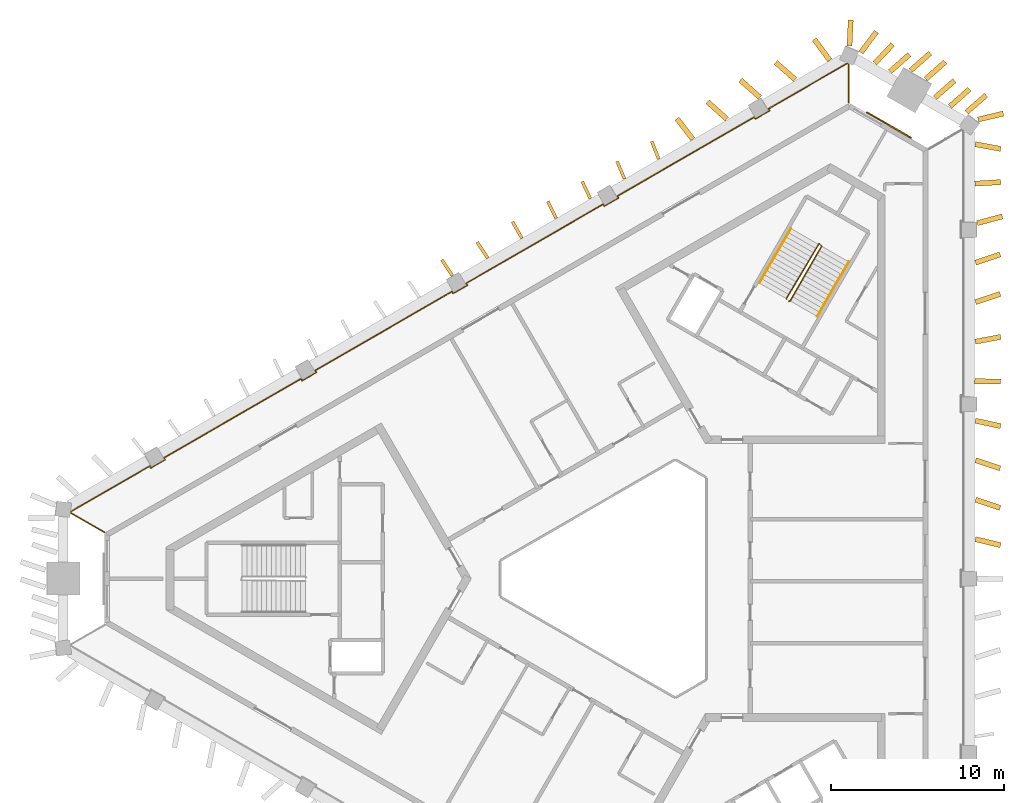
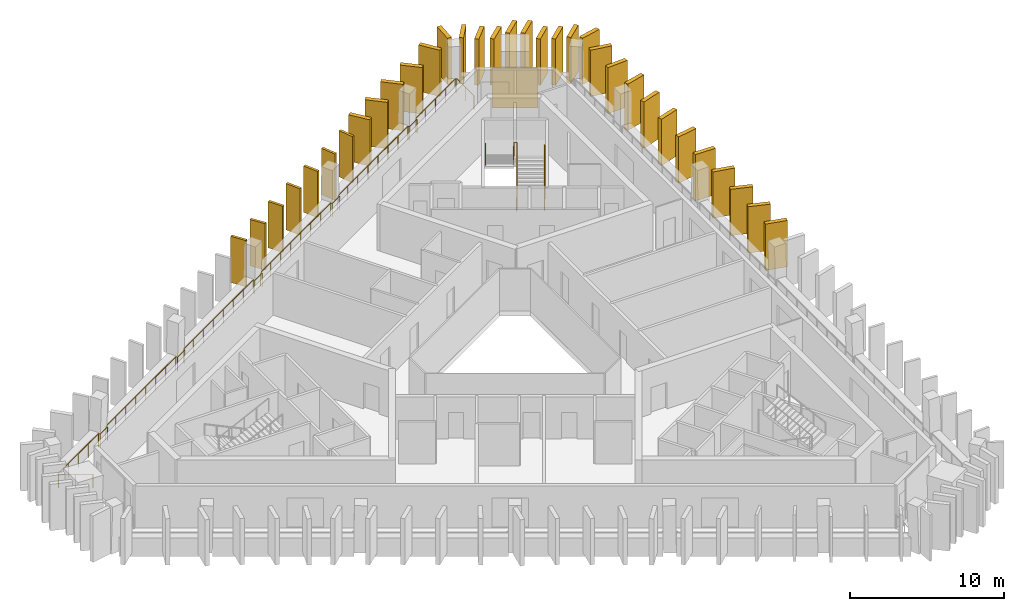
# One storey, part 9 of 9: 33 shading devices, 4 railings, 1 covering.
"""IFC4 building model written with IfcOpenShell, lengths in metres."""

from ifc_helpers import new_model, si_unit, direction, frame, frame_2d, origin, origin_2d, place, context, subcontext, project, spatial, rectangle, circle, extrude, material, layer, layer_set, type_object, element, save


model = new_model("IFC4")

# Units and contexts
model_context = context("Model", 3, precision=1e-05, world=origin(), true_north=direction((0.0, 1.0)))
body_context = subcontext(model_context, "Body", "Model", "MODEL_VIEW")
ifc_project = project(units=[si_unit("LENGTHUNIT", "METRE"), si_unit("AREAUNIT", "SQUARE_METRE"), si_unit("VOLUMEUNIT", "CUBIC_METRE"), si_unit("PLANEANGLEUNIT", "RADIAN"), si_unit("MASSUNIT", "GRAM", prefix="KILO")], contexts=[model_context])

# Site, building, storey
site_placement = place(None, origin())
site = spatial("IfcSite", under=ifc_project, at=site_placement, CompositionType="ELEMENT")
building_placement = place(site_placement, origin())
building = spatial("IfcBuilding", under=site, at=building_placement, Name="Jabali Bay Hotel Tower and Convention Centre", CompositionType="ELEMENT")
storey_placement = place(building_placement, frame((0.0, 0.0, 242.800048828125)))
storey = spatial("IfcBuildingStorey", under=building, at=storey_placement, Name="L60", CompositionType="ELEMENT", Elevation=242.800048828125)

# Railing
ifc_material_1 = material(Name="Glass", Category="glass")
railing_type_1 = type_object("IfcRailingType", Name="Loggia glass guard 1100", PredefinedType="BALUSTRADE", material=ifc_material_1)
railing_1_placement = place(storey_placement, frame((44.825439453125, 82.6748046875, 0.0)))
element("IfcRailing", 1, at=railing_1_placement, inside=storey, type_object=railing_type_1, Name="Loggia glass guard L60", PredefinedType="BALUSTRADE", context=body_context, shape_type="SweptSolid", body=[
    extrude(circle(Radius=0.02490234375, at=origin_2d()), frame((0.0, 0.0, 1.0751953125), z_axis=(-0.86603545466, 0.499982590969, 0.0), x_axis=(-0.495705170593, -0.85862640129, 0.13052619222)), (0.0, 0.0, 1.0), 2.24755859375),
    extrude(circle(Radius=0.02490234375, at=origin_2d()), frame((-1.946533203125, 1.123779296875, 1.0751953125), z_axis=(0.120005554105, 0.99277322032, 0.0), x_axis=(-0.984279907796, 0.118978889953, 0.13052619222)), (0.0, 0.0, 1.0), 0.067138671875),
    extrude(circle(Radius=0.02490234375, at=origin_2d()), frame((-1.9384765625, 1.1904296875, 1.0751953125), z_axis=(0.866030281371, 0.499991551677, 0.0), x_axis=(-0.495714054641, 0.858621272259, 0.13052619222)), (0.0, 0.0, 1.0), 5.26171875),
    extrude(circle(Radius=0.02490234375, at=origin_2d()), frame((2.618408203125, 3.8212890625, 1.0751953125), z_axis=(0.499497219344, -0.8663154898, 0.0), x_axis=(0.858904040691, 0.495223951389, 0.13052619222)), (0.0, 0.0, 1.0), 0.125244140625),
    extrude(circle(Radius=0.02490234375, at=origin_2d()), frame((2.680908203125, 3.712890625, 1.0751953125), z_axis=(0.865988727248, 0.500063520245, 0.0), x_axis=(-0.495785407507, 0.858580073638, 0.13052619222)), (0.0, 0.0, 1.0), 0.9501953125),
    extrude(circle(Radius=0.02490234375, at=origin_2d()), frame((3.503662109375, 4.18798828125, 1.0751953125), z_axis=(-0.499497219344, 0.8663154898, 0.0), x_axis=(-0.858904040691, -0.495223951389, 0.13052619222)), (0.0, 0.0, 1.0), 0.125244140625),
    extrude(circle(Radius=0.02490234375, at=origin_2d()), frame((3.441162109375, 4.29638671875, 1.0751953125), z_axis=(0.866025557469, 0.49999973381, 0.0), x_axis=(-0.495722166775, 0.858616588771, 0.13052619222)), (0.0, 0.0, 1.0), 9.12060546875),
    extrude(circle(Radius=0.02490234375, at=origin_2d()), frame((11.33984375, 8.856689453125, 1.0751953125), z_axis=(0.499497219344, -0.8663154898, 0.0), x_axis=(0.858904040691, 0.495223951389, 0.13052619222)), (0.0, 0.0, 1.0), 0.125244140625),
    extrude(circle(Radius=0.02490234375, at=origin_2d()), frame((11.40234375, 8.748291015625, 1.0751953125), z_axis=(0.865988727248, 0.500063520245, 0.0), x_axis=(-0.495785407507, 0.858580073638, 0.13052619222)), (0.0, 0.0, 1.0), 0.9501953125),
    extrude(circle(Radius=0.02490234375, at=origin_2d()), frame((12.22509765625, 9.223388671875, 1.0751953125), z_axis=(-0.500342721131, 0.865827443207, 0.0), x_axis=(-0.858420169404, -0.496062219791, 0.13052619222)), (0.0, 0.0, 1.0), 0.125),
    extrude(circle(Radius=0.02490234375, at=origin_2d()), frame((12.16259765625, 9.33154296875, 1.0751953125), z_axis=(0.866025557469, 0.49999973381, 0.0), x_axis=(-0.495722166775, 0.858616588771, 0.13052619222)), (0.0, 0.0, 1.0), 9.12060546875),
    extrude(circle(Radius=0.02490234375, at=origin_2d()), frame((20.061279296875, 13.891845703125, 1.0751953125), z_axis=(0.500342721131, -0.865827443207, 0.0), x_axis=(0.858420169404, 0.496062219791, 0.13052619222)), (0.0, 0.0, 1.0), 0.125),
    extrude(circle(Radius=0.02490234375, at=origin_2d()), frame((20.123779296875, 13.78369140625, 1.0751953125), z_axis=(0.866100000774, 0.49987077196, 0.0), x_axis=(-0.495594308211, 0.858690395203, 0.13052619222)), (0.0, 0.0, 1.0), 0.949951171875),
    extrude(circle(Radius=0.02490234375, at=origin_2d()), frame((20.946533203125, 14.258544921875, 1.0751953125), z_axis=(-0.499497219344, 0.8663154898, 0.0), x_axis=(-0.858904040691, -0.495223951389, 0.13052619222)), (0.0, 0.0, 1.0), 0.125244140625),
    extrude(circle(Radius=0.02490234375, at=origin_2d()), frame((20.884033203125, 14.366943359375, 1.0751953125), z_axis=(0.866025557469, 0.49999973381, 0.0), x_axis=(-0.495722166775, 0.858616588771, 0.13052619222)), (0.0, 0.0, 1.0), 9.12060546875),
    extrude(circle(Radius=0.02490234375, at=origin_2d()), frame((28.78271484375, 18.92724609375, 1.0751953125), z_axis=(0.499497219344, -0.8663154898, 0.0), x_axis=(0.858904040691, 0.495223951389, 0.13052619222)), (0.0, 0.0, 1.0), 0.125244140625),
    extrude(circle(Radius=0.02490234375, at=origin_2d()), frame((28.84521484375, 18.81884765625, 1.0751953125), z_axis=(0.865988727248, 0.500063520245, 0.0), x_axis=(-0.495785407507, 0.858580073638, 0.13052619222)), (0.0, 0.0, 1.0), 0.9501953125),
    extrude(circle(Radius=0.02490234375, at=origin_2d()), frame((29.66796875, 19.2939453125, 1.0751953125), z_axis=(-0.500342721131, 0.865827443207, 0.0), x_axis=(-0.858420169404, -0.496062219791, 0.13052619222)), (0.0, 0.0, 1.0), 0.125),
    extrude(circle(Radius=0.02490234375, at=origin_2d()), frame((29.60546875, 19.402099609375, 1.0751953125), z_axis=(0.866025557469, 0.49999973381, 0.0), x_axis=(-0.495722166775, 0.858616588771, 0.13052619222)), (0.0, 0.0, 1.0), 9.12060546875),
    extrude(circle(Radius=0.02490234375, at=origin_2d()), frame((37.504150390625, 23.96240234375, 1.0751953125), z_axis=(0.500342721131, -0.865827443207, 0.0), x_axis=(0.858420169404, 0.496062219791, 0.13052619222)), (0.0, 0.0, 1.0), 0.125),
    extrude(circle(Radius=0.02490234375, at=origin_2d()), frame((37.566650390625, 23.854248046875, 1.0751953125), z_axis=(0.865988727248, 0.500063520245, 0.0), x_axis=(-0.495785407507, 0.858580073638, 0.13052619222)), (0.0, 0.0, 1.0), 0.9501953125),
    extrude(circle(Radius=0.02490234375, at=origin_2d()), frame((38.389404296875, 24.329345703125, 1.0751953125), z_axis=(-0.500342721131, 0.865827443207, 0.0), x_axis=(-0.858420169404, -0.496062219791, 0.13052619222)), (0.0, 0.0, 1.0), 0.125),
    extrude(circle(Radius=0.02490234375, at=origin_2d()), frame((38.326904296875, 24.4375, 1.0751953125), z_axis=(0.866030281371, 0.499991551677, 0.0), x_axis=(-0.495714054641, 0.858621272259, 0.13052619222)), (0.0, 0.0, 1.0), 5.26171875),
    extrude(circle(Radius=0.02490234375, at=origin_2d()), frame((42.8837890625, 27.068359375, 1.0751953125), z_axis=(0.920462353345, -0.390831237333, 0.0), x_axis=(0.387487621918, 0.912587670312, 0.13052619222)), (0.0, 0.0, 1.0), 0.06689453125),
    extrude(circle(Radius=0.02490234375, at=origin_2d()), frame((42.9453125, 27.042236328125, 1.0751953125), z_axis=(0.0, -1.0, 0.0), x_axis=(0.991444861374, 0.0, 0.13052619222)), (0.0, 0.0, 1.0), 2.24755859375),
    extrude(circle(Radius=0.02001953125, at=origin_2d()), origin(), (0.0, 0.0, 1.0), 1.050048828125),
    extrude(circle(Radius=0.02001953125, at=origin_2d()), frame((-0.97314453125, 0.56201171875, 0.0)), (0.0, 0.0, 1.0), 1.050048828125),
    extrude(circle(Radius=0.02001953125, at=origin_2d()), frame((-1.946533203125, 1.123779296875, 0.0)), (0.0, 0.0, 1.0), 1.050048828125),
    extrude(circle(Radius=0.02001953125, at=origin_2d()), frame((-1.9384765625, 1.1904296875, 0.0)), (0.0, 0.0, 1.0), 1.050048828125),
    extrude(circle(Radius=0.02001953125, at=origin_2d()), frame((-0.79931640625, 1.84814453125, 0.0)), (0.0, 0.0, 1.0), 1.050048828125),
    extrude(circle(Radius=0.02001953125, at=origin_2d()), frame((0.33984375, 2.505859375, 0.0)), (0.0, 0.0, 1.0), 1.050048828125),
    extrude(circle(Radius=0.02001953125, at=origin_2d()), frame((1.479248046875, 3.16357421875, 0.0)), (0.0, 0.0, 1.0), 1.050048828125),
    extrude(circle(Radius=0.02001953125, at=origin_2d()), frame((2.618408203125, 3.8212890625, 0.0)), (0.0, 0.0, 1.0), 1.050048828125),
    extrude(circle(Radius=0.02001953125, at=origin_2d()), frame((2.680908203125, 3.712890625, 0.0)), (0.0, 0.0, 1.0), 1.050048828125),
    extrude(circle(Radius=0.02001953125, at=origin_2d()), frame((3.503662109375, 4.18798828125, 0.0)), (0.0, 0.0, 1.0), 1.050048828125),
    extrude(circle(Radius=0.02001953125, at=origin_2d()), frame((3.441162109375, 4.29638671875, 0.0)), (0.0, 0.0, 1.0), 1.050048828125),
    extrude(circle(Radius=0.02001953125, at=origin_2d()), frame((4.569580078125, 4.94775390625, 0.0)), (0.0, 0.0, 1.0), 1.050048828125),
    extrude(circle(Radius=0.02001953125, at=origin_2d()), frame((5.697998046875, 5.599365234375, 0.0)), (0.0, 0.0, 1.0), 1.050048828125),
    extrude(circle(Radius=0.02001953125, at=origin_2d()), frame((6.826416015625, 6.250732421875, 0.0)), (0.0, 0.0, 1.0), 1.050048828125),
    extrude(circle(Radius=0.02001953125, at=origin_2d()), frame((7.95458984375, 6.90234375, 0.0)), (0.0, 0.0, 1.0), 1.050048828125),
    extrude(circle(Radius=0.02001953125, at=origin_2d()), frame((9.0830078125, 7.5537109375, 0.0)), (0.0, 0.0, 1.0), 1.050048828125),
    extrude(circle(Radius=0.02001953125, at=origin_2d()), frame((10.21142578125, 8.205322265625, 0.0)), (0.0, 0.0, 1.0), 1.050048828125),
    extrude(circle(Radius=0.02001953125, at=origin_2d()), frame((11.33984375, 8.856689453125, 0.0)), (0.0, 0.0, 1.0), 1.050048828125),
    extrude(circle(Radius=0.02001953125, at=origin_2d()), frame((11.40234375, 8.748291015625, 0.0)), (0.0, 0.0, 1.0), 1.050048828125),
    extrude(circle(Radius=0.02001953125, at=origin_2d()), frame((12.22509765625, 9.223388671875, 0.0)), (0.0, 0.0, 1.0), 1.050048828125),
    extrude(circle(Radius=0.02001953125, at=origin_2d()), frame((12.16259765625, 9.33154296875, 0.0)), (0.0, 0.0, 1.0), 1.050048828125),
    extrude(circle(Radius=0.02001953125, at=origin_2d()), frame((13.291015625, 9.98291015625, 0.0)), (0.0, 0.0, 1.0), 1.050048828125),
    extrude(circle(Radius=0.02001953125, at=origin_2d()), frame((14.41943359375, 10.634521484375, 0.0)), (0.0, 0.0, 1.0), 1.050048828125),
    extrude(circle(Radius=0.02001953125, at=origin_2d()), frame((15.5478515625, 11.285888671875, 0.0)), (0.0, 0.0, 1.0), 1.050048828125),
    extrude(circle(Radius=0.02001953125, at=origin_2d()), frame((16.676025390625, 11.9375, 0.0)), (0.0, 0.0, 1.0), 1.050048828125),
    extrude(circle(Radius=0.02001953125, at=origin_2d()), frame((17.804443359375, 12.5888671875, 0.0)), (0.0, 0.0, 1.0), 1.050048828125),
    extrude(circle(Radius=0.02001953125, at=origin_2d()), frame((18.932861328125, 13.240478515625, 0.0)), (0.0, 0.0, 1.0), 1.050048828125),
    extrude(circle(Radius=0.02001953125, at=origin_2d()), frame((20.061279296875, 13.891845703125, 0.0)), (0.0, 0.0, 1.0), 1.050048828125),
    extrude(circle(Radius=0.02001953125, at=origin_2d()), frame((20.123779296875, 13.78369140625, 0.0)), (0.0, 0.0, 1.0), 1.050048828125),
    extrude(circle(Radius=0.02001953125, at=origin_2d()), frame((20.946533203125, 14.258544921875, 0.0)), (0.0, 0.0, 1.0), 1.050048828125),
    extrude(circle(Radius=0.02001953125, at=origin_2d()), frame((20.884033203125, 14.366943359375, 0.0)), (0.0, 0.0, 1.0), 1.050048828125),
    extrude(circle(Radius=0.02001953125, at=origin_2d()), frame((22.012451171875, 15.018310546875, 0.0)), (0.0, 0.0, 1.0), 1.050048828125),
    extrude(circle(Radius=0.02001953125, at=origin_2d()), frame((23.140869140625, 15.669921875, 0.0)), (0.0, 0.0, 1.0), 1.050048828125),
    extrude(circle(Radius=0.02001953125, at=origin_2d()), frame((24.269287109375, 16.3212890625, 0.0)), (0.0, 0.0, 1.0), 1.050048828125),
    extrude(circle(Radius=0.02001953125, at=origin_2d()), frame((25.3974609375, 16.972900390625, 0.0)), (0.0, 0.0, 1.0), 1.050048828125),
    extrude(circle(Radius=0.02001953125, at=origin_2d()), frame((26.52587890625, 17.624267578125, 0.0)), (0.0, 0.0, 1.0), 1.050048828125),
    extrude(circle(Radius=0.02001953125, at=origin_2d()), frame((27.654296875, 18.27587890625, 0.0)), (0.0, 0.0, 1.0), 1.050048828125),
    extrude(circle(Radius=0.02001953125, at=origin_2d()), frame((28.78271484375, 18.92724609375, 0.0)), (0.0, 0.0, 1.0), 1.050048828125),
    extrude(circle(Radius=0.02001953125, at=origin_2d()), frame((28.84521484375, 18.81884765625, 0.0)), (0.0, 0.0, 1.0), 1.050048828125),
    extrude(circle(Radius=0.02001953125, at=origin_2d()), frame((29.66796875, 19.2939453125, 0.0)), (0.0, 0.0, 1.0), 1.050048828125),
    extrude(circle(Radius=0.02001953125, at=origin_2d()), frame((29.60546875, 19.402099609375, 0.0)), (0.0, 0.0, 1.0), 1.050048828125),
    extrude(circle(Radius=0.02001953125, at=origin_2d()), frame((30.73388671875, 20.053466796875, 0.0)), (0.0, 0.0, 1.0), 1.050048828125),
    extrude(circle(Radius=0.02001953125, at=origin_2d()), frame((31.8623046875, 20.705078125, 0.0)), (0.0, 0.0, 1.0), 1.050048828125),
    extrude(circle(Radius=0.02001953125, at=origin_2d()), frame((32.99072265625, 21.3564453125, 0.0)), (0.0, 0.0, 1.0), 1.050048828125),
    extrude(circle(Radius=0.02001953125, at=origin_2d()), frame((34.118896484375, 22.008056640625, 0.0)), (0.0, 0.0, 1.0), 1.050048828125),
    extrude(circle(Radius=0.02001953125, at=origin_2d()), frame((35.247314453125, 22.659423828125, 0.0)), (0.0, 0.0, 1.0), 1.050048828125),
    extrude(circle(Radius=0.02001953125, at=origin_2d()), frame((36.375732421875, 23.31103515625, 0.0)), (0.0, 0.0, 1.0), 1.050048828125),
    extrude(circle(Radius=0.02001953125, at=origin_2d()), frame((37.504150390625, 23.96240234375, 0.0)), (0.0, 0.0, 1.0), 1.050048828125),
    extrude(circle(Radius=0.02001953125, at=origin_2d()), frame((37.566650390625, 23.854248046875, 0.0)), (0.0, 0.0, 1.0), 1.050048828125),
    extrude(circle(Radius=0.02001953125, at=origin_2d()), frame((38.389404296875, 24.329345703125, 0.0)), (0.0, 0.0, 1.0), 1.050048828125),
    extrude(circle(Radius=0.02001953125, at=origin_2d()), frame((38.326904296875, 24.4375, 0.0)), (0.0, 0.0, 1.0), 1.050048828125),
    extrude(circle(Radius=0.02001953125, at=origin_2d()), frame((39.466064453125, 25.09521484375, 0.0)), (0.0, 0.0, 1.0), 1.050048828125),
    extrude(circle(Radius=0.02001953125, at=origin_2d()), frame((40.60546875, 25.7529296875, 0.0)), (0.0, 0.0, 1.0), 1.050048828125),
    extrude(circle(Radius=0.02001953125, at=origin_2d()), frame((41.74462890625, 26.41064453125, 0.0)), (0.0, 0.0, 1.0), 1.050048828125),
    extrude(circle(Radius=0.02001953125, at=origin_2d()), frame((42.8837890625, 27.068359375, 0.0)), (0.0, 0.0, 1.0), 1.050048828125),
    extrude(circle(Radius=0.02001953125, at=origin_2d()), frame((42.9453125, 27.042236328125, 0.0)), (0.0, 0.0, 1.0), 1.050048828125),
    extrude(circle(Radius=0.02001953125, at=origin_2d()), frame((42.9453125, 25.91845703125, 0.0)), (0.0, 0.0, 1.0), 1.050048828125),
    extrude(circle(Radius=0.02001953125, at=origin_2d()), frame((42.9453125, 24.794677734375, 0.0)), (0.0, 0.0, 1.0), 1.050048828125),
])

# Shading devices
ifc_material_2 = material(Name="Precast concrete C60", Category="concrete")
ifc_layer_1 = layer(ifc_material_2, 0.179931640625)
ifc_layer_set_1 = layer_set([ifc_layer_1], Name="Precast concrete C60")
shading_device_type_1 = type_object("IfcShadingDeviceType", Name="Precast fin 3680 x 1100", PredefinedType="USERDEFINED", material=ifc_layer_set_1)
shading_device_1_placement = place(storey_placement, frame((76.8125, 104.209228515625, 0.010009765625), z_axis=(0.0, 0.0, 1.0), x_axis=(-0.365528771631, 0.930800041421, 0.0)))
element("IfcShadingDevice", 2, at=shading_device_1_placement, inside=storey, type_object=shading_device_type_1, Name="Fin L60 036", ObjectType="FIN", PredefinedType="USERDEFINED", context=body_context, shape_type="SweptSolid", body=[
    extrude(rectangle(XDim=1.10009765625, YDim=0.179931640625, at=frame_2d((0.550048828125, 0.0))), origin(), (0.0, 0.0, 1.0), 3.679931640625),
])
for number, where, z_axis, x_axis, name in (
    (3, (74.840087890625, 103.0673828125, 0.010009765625), (0.0, 0.0, 1.0), (-0.393329850461, 0.91939742698, 0.0), "Fin L60 037"),
    (4, (72.8681640625, 101.925048828125, 0.010009765625), (0.0, 0.0, 1.0), (-0.427485164007, 0.904022363968, 0.0), "Fin L60 038"),
    (5, (70.894775390625, 100.78466796875, 0.010009765625), (0.0, 0.0, 1.0), (-0.437776198754, 0.899083978171, 0.0), "Fin L60 039"),
    (6, (68.924072265625, 99.639892578125, 0.010009765625), (0.0, 0.0, 1.0), (-0.497190323106, 0.867641505813, 0.0), "Fin L60 040"),
):
    element("IfcShadingDevice", number, at=place(storey_placement, frame(where, z_axis=z_axis, x_axis=x_axis)), inside=storey, type_object=shading_device_type_1, Name=name, ObjectType="FIN", PredefinedType="USERDEFINED", context=body_context, shape_type="SweptSolid", body=[
        extrude(rectangle(XDim=1.099853515625, YDim=0.179931640625, at=frame_2d((0.5498046875, 0.0))), origin(), (0.0, 0.0, 1.0), 3.679931640625),
    ])
shading_device_2_placement = place(storey_placement, frame((66.94775390625, 98.505126953125, 0.010009765625), z_axis=(0.0, 0.0, 1.0), x_axis=(-0.555877455438, 0.831264250727, 0.0)))
element("IfcShadingDevice", 7, at=shading_device_2_placement, inside=storey, type_object=shading_device_type_1, Name="Fin L60 041", ObjectType="FIN", PredefinedType="USERDEFINED", context=body_context, shape_type="SweptSolid", body=[
    extrude(rectangle(XDim=1.10009765625, YDim=0.179931640625, at=frame_2d((0.550048828125, 0.0))), origin(), (0.0, 0.0, 1.0), 3.679931640625),
])
shading_device_3_placement = place(storey_placement, frame((64.90771484375, 97.48046875, 0.010009765625), z_axis=(0.0, 0.0, 1.0), x_axis=(-0.555570666114, 0.831469322918, 0.0)))
element("IfcShadingDevice", 8, at=shading_device_3_placement, inside=storey, type_object=shading_device_type_1, Name="Fin L60 042", ObjectType="FIN", PredefinedType="USERDEFINED", context=body_context, shape_type="SweptSolid", body=[
    extrude(rectangle(XDim=1.099853515625, YDim=0.179931640625, at=frame_2d((0.5498046875, 0.0))), origin(), (0.0, 0.0, 1.0), 3.679931640625),
])
ifc_layer_2 = layer(ifc_material_2, 0.300048828125)
ifc_layer_set_2 = layer_set([ifc_layer_2], Name="Precast concrete C60")
shading_device_type_2 = type_object("IfcShadingDeviceType", Name="Precast fin 3680 x 1500", PredefinedType="USERDEFINED", material=ifc_layer_set_2)
for number, where, z_axis, x_axis, name in (
    (9, (95.0810546875, 82.279052734375, 0.010009765625), (0.0, 0.0, 1.0), (0.972800974588, -0.231642534611, 0.0), "Fin L60 012"),
    (10, (95.093994140625, 84.55810546875, 0.010009765625), (0.0, 0.0, 1.0), (0.948013799223, -0.318229220034, 0.0), "Fin L60 013"),
    (11, (95.093994140625, 86.837158203125, 0.010009765625), (0.0, 0.0, 1.0), (0.948013799223, -0.318229220034, 0.0), "Fin L60 014"),
):
    element("IfcShadingDevice", number, at=place(storey_placement, frame(where, z_axis=z_axis, x_axis=x_axis)), inside=storey, type_object=shading_device_type_2, Name=name, ObjectType="FIN", PredefinedType="USERDEFINED", context=body_context, shape_type="SweptSolid", body=[
        extrude(rectangle(XDim=1.499755859375, YDim=0.300048828125, at=frame_2d((0.75, 0.0))), origin(), (0.0, 0.0, 1.0), 3.679931640625),
    ])
for number, where, z_axis, x_axis, name in (
    (12, (95.077880859375, 89.1162109375, 0.010009765625), (0.0, 0.0, 1.0), (0.977325946755, -0.211740392461, 0.0), "Fin L60 015"),
    (13, (95.048828125, 91.395263671875, 0.010009765625), (0.0, 0.0, 1.0), (0.999836789311, -0.018066398114, 0.0), "Fin L60 016"),
    (14, (95.073486328125, 93.67431640625, 0.010009765625), (0.0, 0.0, 1.0), (0.983273369043, 0.182135888091, 0.0), "Fin L60 017"),
):
    element("IfcShadingDevice", number, at=place(storey_placement, frame(where, z_axis=z_axis, x_axis=x_axis)), inside=storey, type_object=shading_device_type_2, Name=name, ObjectType="FIN", PredefinedType="USERDEFINED", context=body_context, shape_type="SweptSolid", body=[
        extrude(rectangle(XDim=1.5, YDim=0.300048828125, at=frame_2d((0.75, 0.0))), origin(), (0.0, 0.0, 1.0), 3.679931640625),
    ])
for number, where, z_axis, x_axis, name in (
    (15, (95.093994140625, 95.953369140625, 0.010009765625), (0.0, 0.0, 1.0), (0.948013799223, 0.318229220034, 0.0), "Fin L60 018"),
    (16, (95.093994140625, 98.232421875, 0.010009765625), (0.0, 0.0, 1.0), (0.948013799223, 0.318229220034, 0.0), "Fin L60 019"),
    (17, (95.193359375, 100.511474609375, 0.010009765625), (0.0, 0.0, 1.0), (0.965793135354, 0.259313747618, 0.0), "Fin L60 020"),
):
    element("IfcShadingDevice", number, at=place(storey_placement, frame(where, z_axis=z_axis, x_axis=x_axis)), inside=storey, type_object=shading_device_type_2, Name=name, ObjectType="FIN", PredefinedType="USERDEFINED", context=body_context, shape_type="SweptSolid", body=[
        extrude(rectangle(XDim=1.499755859375, YDim=0.300048828125, at=frame_2d((0.75, 0.0))), origin(), (0.0, 0.0, 1.0), 3.679931640625),
    ])
for number, where, z_axis, x_axis, name in (
    (18, (95.05517578125, 102.79052734375, 0.010009765625), (0.0, 0.0, 1.0), (0.998175339933, 0.060382039967, 0.0), "Fin L60 021"),
    (19, (95.073486328125, 105.069580078125, 0.010009765625), (0.0, 0.0, 1.0), (0.983366083554, -0.181634648998, 0.0), "Fin L60 022"),
):
    element("IfcShadingDevice", number, at=place(storey_placement, frame(where, z_axis=z_axis, x_axis=x_axis)), inside=storey, type_object=shading_device_type_2, Name=name, ObjectType="FIN", PredefinedType="USERDEFINED", context=body_context, shape_type="SweptSolid", body=[
        extrude(rectangle(XDim=1.5, YDim=0.300048828125, at=frame_2d((0.75, 0.0))), origin(), (0.0, 0.0, 1.0), 3.679931640625),
    ])
shading_device_4_placement = place(storey_placement, frame((94.580322265625, 106.9091796875, 0.010009765625), z_axis=(0.0, 0.0, 1.0), x_axis=(0.749605089459, 0.661885344948, 0.0)))
element("IfcShadingDevice", 20, at=shading_device_4_placement, inside=storey, type_object=shading_device_type_2, Name="Fin L60 023", ObjectType="FIN", PredefinedType="USERDEFINED", context=body_context, shape_type="SweptSolid", body=[
    extrude(rectangle(XDim=1.500244140625, YDim=0.300048828125, at=frame_2d((0.75, 0.0))), origin(), (0.0, 0.0, 1.0), 3.679931640625),
])
shading_device_5_placement = place(storey_placement, frame((93.62109375, 107.249267578125, 0.010009765625), z_axis=(0.0, 0.0, 1.0), x_axis=(0.749685839111, 0.66179388229, 0.0)))
element("IfcShadingDevice", 21, at=shading_device_5_placement, inside=storey, type_object=shading_device_type_2, Name="Fin L60 024", ObjectType="FIN", PredefinedType="USERDEFINED", context=body_context, shape_type="SweptSolid", body=[
    extrude(rectangle(XDim=1.5, YDim=0.300048828125, at=frame_2d((0.75, 0.0))), origin(), (0.0, 0.0, 1.0), 3.679931640625),
])
for number, where, z_axis, x_axis, name in (
    (22, (92.75439453125, 107.74951171875, 0.010009765625), (0.0, 0.0, 1.0), (0.749605089459, 0.661885344948, 0.0), "Fin L60 025"),
    (23, (92.21923828125, 108.82373046875, 0.010009765625), (0.0, 0.0, 1.0), (0.749605089459, 0.661885344948, 0.0), "Fin L60 026"),
):
    element("IfcShadingDevice", number, at=place(storey_placement, frame(where, z_axis=z_axis, x_axis=x_axis)), inside=storey, type_object=shading_device_type_2, Name=name, ObjectType="FIN", PredefinedType="USERDEFINED", context=body_context, shape_type="SweptSolid", body=[
        extrude(rectangle(XDim=1.500244140625, YDim=0.300048828125, at=frame_2d((0.75, 0.0))), origin(), (0.0, 0.0, 1.0), 3.679931640625),
    ])
for number, where, z_axis, x_axis, name in (
    (24, (91.3525390625, 109.32421875, 0.010009765625), (0.0, 0.0, 1.0), (0.749685839111, 0.66179388229, 0.0), "Fin L60 027"),
    (25, (90.154541015625, 109.250732421875, 0.010009765625), (0.0, 0.0, 1.0), (0.749685839111, 0.66179388229, 0.0), "Fin L60 028"),
    (26, (89.28173828125, 109.740234375, 0.010009765625), (0.0, 0.0, 1.0), (0.689894904602, 0.723909538965, 0.0), "Fin L60 029"),
    (27, (88.483154296875, 110.3583984375, 0.010009765625), (0.0, 0.0, 1.0), (0.597183717734, 0.802104486506, 0.0), "Fin L60 030"),
    (28, (86.679443359375, 109.90966796875, 0.010009765625), (0.0, 0.0, 1.0), (-0.592132521333, 0.805840602837, 0.0), "Fin L60 031"),
    (29, (84.690185546875, 108.797119140625, 0.010009765625), (0.0, 0.0, 1.0), (-0.749381674871, 0.662138282662, 0.0), "Fin L60 032"),
    (30, (82.650390625, 107.77197265625, 0.010009765625), (0.0, 0.0, 1.0), (-0.748154123572, 0.663524986253, 0.0), "Fin L60 033"),
    (31, (80.743408203125, 106.516845703125, 0.010009765625), (0.0, 0.0, 1.0), (-0.742856951589, 0.669450184462, 0.0), "Fin L60 034"),
    (32, (78.782958984375, 105.354248046875, 0.010009765625), (0.0, 0.0, 1.0), (-0.609514106092, 0.792775223171, 0.0), "Fin L60 035"),
    (33, (95.243408203125, 106.49169921875, 0.010009765625), (0.0, 0.0, 1.0), (0.973237579659, 0.229801247906, 0.0), "Fin L60 094"),
):
    element("IfcShadingDevice", number, at=place(storey_placement, frame(where, z_axis=z_axis, x_axis=x_axis)), inside=storey, type_object=shading_device_type_2, Name=name, ObjectType="FIN", PredefinedType="USERDEFINED", context=body_context, shape_type="SweptSolid", body=[
        extrude(rectangle(XDim=1.5, YDim=0.300048828125, at=frame_2d((0.75, 0.0))), origin(), (0.0, 0.0, 1.0), 3.679931640625),
    ])
shading_device_6_placement = place(storey_placement, frame((87.82080078125, 110.7294921875, 0.010009765625), z_axis=(0.0, 0.0, 1.0), x_axis=(0.04932060764, 0.998782998284, 0.0)))
element("IfcShadingDevice", 34, at=shading_device_6_placement, inside=storey, type_object=shading_device_type_2, Name="Fin L60 095", ObjectType="FIN", PredefinedType="USERDEFINED", context=body_context, shape_type="SweptSolid", body=[
    extrude(rectangle(XDim=1.499755859375, YDim=0.300048828125, at=frame_2d((0.75, 0.0))), origin(), (0.0, 0.0, 1.0), 3.679931640625),
])

# Covering
ifc_material_3 = material(Name="Precast concrete C40/50", Category="concrete")
ifc_layer_3 = layer(ifc_material_3, 0.080078125)
ifc_layer_set_3 = layer_set([ifc_layer_3], Name="Precast concrete C40/50")
covering_type = type_object("IfcCoveringType", Name="Relief panel 3000 x 3150", PredefinedType="CLADDING", material=ifc_layer_set_3)
covering_placement = place(storey_placement, frame((90.107421875, 106.166748046875, 0.10009765625), z_axis=(0.0, 0.0, 1.0), x_axis=(0.866025380432, -0.500000040448, 0.0)))
element("IfcCovering", 35, at=covering_placement, inside=storey, type_object=covering_type, Name="Relief panel L60", PredefinedType="CLADDING", context=body_context, shape_type="SweptSolid", body=[
    extrude(rectangle(XDim=3.0, YDim=0.080078125, at=origin_2d()), origin(), (0.0, 0.0, 1.0), 3.14990234375),
])

# Railings
ifc_material_4 = material(Name="Steel Q355B", Category="steel")
railing_type_2 = type_object("IfcRailingType", Name="Stair guard 1100", PredefinedType="GUARDRAIL", material=ifc_material_4)
railing_2_placement = place(storey_placement, frame((84.329833984375, 96.010009765625, 0.0)))
element("IfcRailing", 36, at=railing_2_placement, inside=storey, type_object=railing_type_2, Name="L60 ST2 stair guard 1", PredefinedType="GUARDRAIL", context=body_context, shape_type="SweptSolid", body=[
    extrude(circle(Radius=0.02392578125, at=origin_2d()), frame((0.0, 0.0, 1.076171875), z_axis=(0.456201556387, 0.122196845461, 0.881446578591), x_axis=(-0.258736085224, 0.965948051503, 0.0)), (0.0, 0.0, 1.0), 0.14990234375),
    extrude(circle(Radius=0.02392578125, at=origin_2d()), frame((0.068359375, 0.018310546875, 1.2080078125), z_axis=(0.452190331055, 0.783190014029, 0.426775475427), x_axis=(-0.866018046521, 0.500012742938, 0.0)), (0.0, 0.0, 1.0), 4.02490234375),
    extrude(circle(Radius=0.02392578125, at=origin_2d()), frame((1.888427734375, 3.170654296875, 2.92578125), z_axis=(-0.718850276695, 0.695164929852, 0.0), x_axis=(-0.695164929852, -0.718850276695, 0.0)), (0.0, 0.0, 1.0), 0.2060546875),
    extrude(circle(Radius=0.02392578125, at=origin_2d()), frame((1.740234375, 3.31396484375, 2.92578125), z_axis=(-0.457445338502, -0.768046879266, 0.448160410493), x_axis=(0.859157857954, -0.511710636118, 0.0)), (0.0, 0.0, 1.0), 4.128173828125),
    extrude(circle(Radius=0.02099609375, at=origin_2d()), origin(), (0.0, 0.0, 1.0), 1.052001953125),
    extrude(circle(Radius=0.02099609375, at=origin_2d()), frame((0.068359375, 0.018310546875, 0.132080078125)), (0.0, 0.0, 1.0), 1.052001953125),
    extrude(circle(Radius=0.02099609375, at=origin_2d()), frame((0.5234375, 0.806396484375, 0.5615234375)), (0.0, 0.0, 1.0), 1.052001953125),
    extrude(circle(Radius=0.02099609375, at=origin_2d()), frame((0.978515625, 1.594482421875, 0.990966796875)), (0.0, 0.0, 1.0), 1.052001953125),
    extrude(circle(Radius=0.02099609375, at=origin_2d()), frame((1.433349609375, 2.382568359375, 1.42041015625)), (0.0, 0.0, 1.0), 1.052001953125),
    extrude(circle(Radius=0.02099609375, at=origin_2d()), frame((1.888427734375, 3.170654296875, 1.849853515625)), (0.0, 0.0, 1.0), 1.052001953125),
    extrude(circle(Radius=0.02099609375, at=origin_2d()), frame((1.740234375, 3.31396484375, 1.849853515625)), (0.0, 0.0, 1.0), 1.052001953125),
    extrude(circle(Radius=0.02099609375, at=origin_2d()), frame((1.26806640625, 2.521240234375, 2.3125)), (0.0, 0.0, 1.0), 1.052001953125),
    extrude(circle(Radius=0.02099609375, at=origin_2d()), frame((0.7958984375, 1.728515625, 2.77490234375)), (0.0, 0.0, 1.0), 1.052001953125),
    extrude(circle(Radius=0.02099609375, at=origin_2d()), frame((0.323974609375, 0.93603515625, 3.2373046875)), (0.0, 0.0, 1.0), 1.052001953125),
    extrude(circle(Radius=0.02099609375, at=origin_2d()), frame((-0.148193359375, 0.143310546875, 3.699951171875)), (0.0, 0.0, 1.0), 1.052001953125),
])
railing_type_3 = type_object("IfcRailingType", Name="Stair handrail 900", PredefinedType="HANDRAIL", material=ifc_material_4)
railing_3_placement = place(storey_placement, frame((85.95703125, 95.128173828125, 0.132080078125)))
element("IfcRailing", 37, at=railing_3_placement, inside=storey, type_object=railing_type_3, Name="L60 ST2 stair handrail 1", PredefinedType="HANDRAIL", context=body_context, shape_type="SweptSolid", body=[
    extrude(circle(Radius=0.02392578125, at=origin_2d()), frame((0.0, 0.0, 0.8759765625), z_axis=(0.452190331055, 0.783190014029, 0.426775475427), x_axis=(-0.866018046521, 0.500012742938, 0.0)), (0.0, 0.0, 1.0), 4.02490234375),
    extrude(circle(Radius=0.02099609375, at=origin_2d()), origin(), (0.0, 0.0, 1.0), 0.851806640625),
    extrude(circle(Radius=0.02099609375, at=origin_2d()), frame((0.455078125, 0.7880859375, 0.429443359375)), (0.0, 0.0, 1.0), 0.851806640625),
    extrude(circle(Radius=0.02099609375, at=origin_2d()), frame((0.91015625, 1.576171875, 0.85888671875)), (0.0, 0.0, 1.0), 0.851806640625),
    extrude(circle(Radius=0.02099609375, at=origin_2d()), frame((1.364990234375, 2.3642578125, 1.288330078125)), (0.0, 0.0, 1.0), 0.851806640625),
    extrude(circle(Radius=0.02099609375, at=origin_2d()), frame((1.820068359375, 3.15234375, 1.7177734375)), (0.0, 0.0, 1.0), 0.851806640625),
])
railing_4_placement = place(storey_placement, frame((84.44287109375, 100.20556640625, 1.982177734375)))
element("IfcRailing", 38, at=railing_4_placement, inside=storey, type_object=railing_type_3, Name="L60 ST2 stair handrail 2", PredefinedType="HANDRAIL", context=body_context, shape_type="SweptSolid", body=[
    extrude(circle(Radius=0.02392578125, at=origin_2d()), frame((0.0, 0.0, 0.8759765625), z_axis=(-0.452190331055, -0.783190014029, 0.426775475427), x_axis=(0.866018046521, -0.500012742938, 0.0)), (0.0, 0.0, 1.0), 4.02490234375),
    extrude(circle(Radius=0.02099609375, at=origin_2d()), origin(), (0.0, 0.0, 1.0), 0.851806640625),
    extrude(circle(Radius=0.02099609375, at=origin_2d()), frame((-0.455078125, -0.7880859375, 0.429443359375)), (0.0, 0.0, 1.0), 0.851806640625),
    extrude(circle(Radius=0.02099609375, at=origin_2d()), frame((-0.91015625, -1.576171875, 0.85888671875)), (0.0, 0.0, 1.0), 0.851806640625),
    extrude(circle(Radius=0.02099609375, at=origin_2d()), frame((-1.364990234375, -2.3642578125, 1.288330078125)), (0.0, 0.0, 1.0), 0.851806640625),
    extrude(circle(Radius=0.02099609375, at=origin_2d()), frame((-1.820068359375, -3.15234375, 1.7177734375)), (0.0, 0.0, 1.0), 0.851806640625),
])

save(model, "model.ifc")
